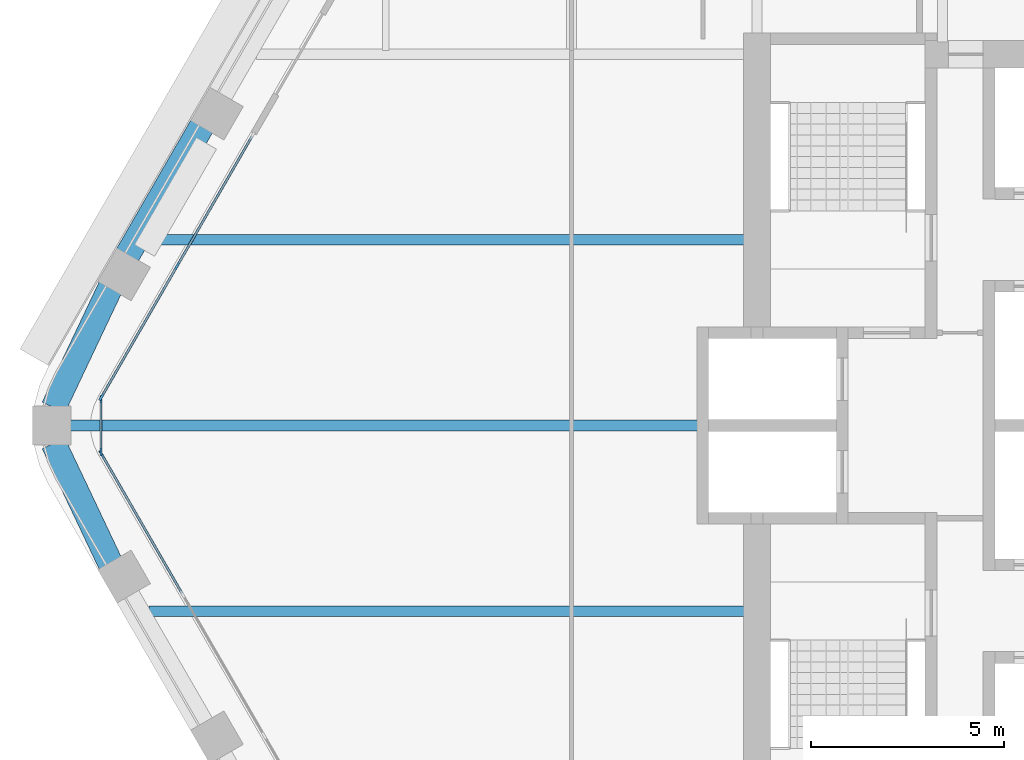
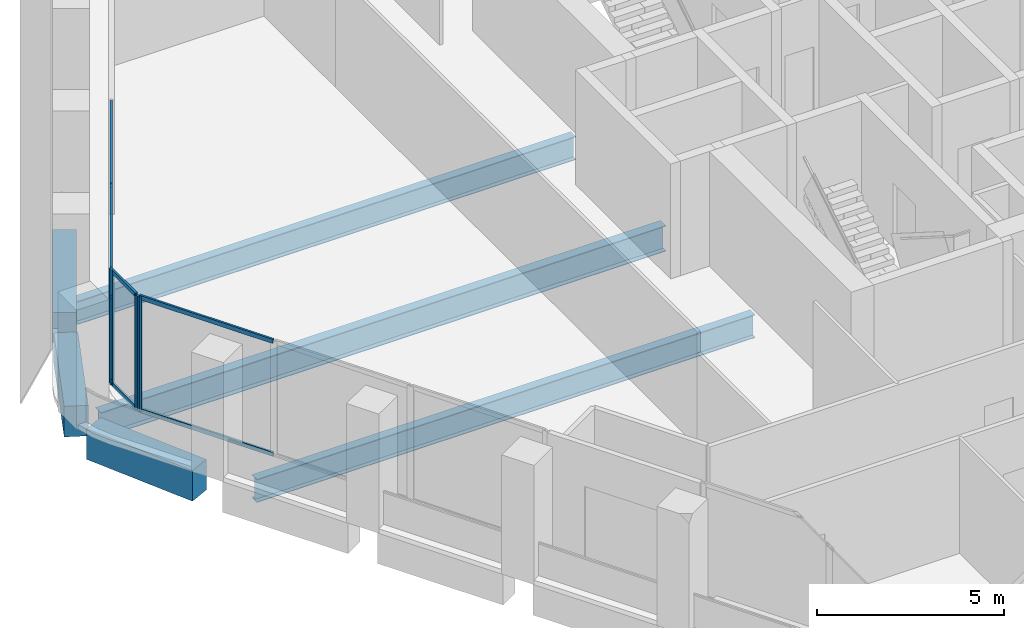
# One storey, part 3 of 15: 13 members, 6 beams, 3 elements without a shape of their own.
"""IFC4 building model written with IfcOpenShell, lengths in metres."""

from ifc_helpers import new_model, si_unit, direction, frame, origin, origin_2d, place, context, subcontext, project, spatial, rectangle, i_section, extrude, material, material_profile, profile_set, type_object, element, aggregate, save


model = new_model("IFC4")

# Units and contexts
model_context = context("Model", 3, precision=1e-05, world=origin(), true_north=direction((0.0, 1.0)))
body_context = subcontext(model_context, "Body", "Model", "MODEL_VIEW")
ifc_project = project(units=[si_unit("LENGTHUNIT", "METRE"), si_unit("AREAUNIT", "SQUARE_METRE"), si_unit("VOLUMEUNIT", "CUBIC_METRE"), si_unit("PLANEANGLEUNIT", "RADIAN"), si_unit("MASSUNIT", "GRAM", prefix="KILO")], contexts=[model_context])

# Site, building, storey
site_placement = place(None, origin())
site = spatial("IfcSite", under=ifc_project, at=site_placement, CompositionType="ELEMENT")
building_placement = place(site_placement, origin())
building = spatial("IfcBuilding", under=site, at=building_placement, Name="Kolab Exchange Tower", CompositionType="ELEMENT")
storey_placement = place(building_placement, frame((0.0, 0.0, 201.199951171875)))
storey = spatial("IfcBuildingStorey", under=building, at=storey_placement, Name="L43", CompositionType="ELEMENT", Elevation=201.199951171875)

# Beams
ifc_material_1 = material(Name="Steel S355", Category="steel")
ifc_material_profile_1 = material_profile(ifc_material_1, i_section(OverallWidth=0.26708984375, OverallDepth=0.761962890625, WebThickness=0.014404296875, FlangeThickness=0.021484375, at=origin_2d()), Name="W760X173")
ifc_profile_set_1 = profile_set([ifc_material_profile_1], Name="Steel S355")
beam_type_1 = type_object("IfcBeamType", Name="FLOOR BEAM W760X173", PredefinedType="BEAM", material=ifc_profile_set_1)
for number, where, z_axis, x_axis, name in (
    (1, (-25.318115234375, -4.800048828125, -0.531005859375), (1.0, 0.0, 0.0), (0.0, 1.0, 0.0), "beam/L43/fr/001"),
    (2, (-25.318115234375, 4.800048828125, -0.531005859375), (1.0, 0.0, 0.0), (0.0, 1.0, 0.0), "beam/L43/fr/002"),
):
    element("IfcBeam", number, at=place(storey_placement, frame(where, z_axis=z_axis, x_axis=x_axis)), inside=storey, type_object=beam_type_1, Name=name, PredefinedType="BEAM", context=body_context, shape_type="SweptSolid", body=[
        extrude(i_section(OverallWidth=0.26708984375, OverallDepth=0.761962890625, WebThickness=0.014404296875, FlangeThickness=0.021484375, at=origin_2d()), origin(), (0.0, 0.0, 1.0), 15.408203125),
    ])
ifc_material_profile_2 = material_profile(ifc_material_1, i_section(OverallWidth=0.2919921875, OverallDepth=0.840087890625, WebThickness=0.0146484375, FlangeThickness=0.021728515625, at=origin_2d()), Name="W840X193")
ifc_profile_set_2 = profile_set([ifc_material_profile_2], Name="Steel S355")
beam_type_2 = type_object("IfcBeamType", Name="FLOOR BEAM W840X193", PredefinedType="BEAM", material=ifc_profile_set_2)
beam_1_placement = place(storey_placement, frame((-27.3759765625, 0.0, -0.570068359375), z_axis=(1.0, 0.0, 0.0), x_axis=(0.0, 1.0, 0.0)))
element("IfcBeam", 3, at=beam_1_placement, inside=storey, type_object=beam_type_2, Name="beam/L43/fr/000", PredefinedType="BEAM", context=body_context, shape_type="SweptSolid", body=[
    extrude(i_section(OverallWidth=0.2919921875, OverallDepth=0.840087890625, WebThickness=0.0146484375, FlangeThickness=0.021728515625, at=origin_2d()), origin(), (0.0, 0.0, 1.0), 17.466064453125),
])
ifc_material_2 = material(Name="Concrete C60/75", Category="concrete")
ifc_material_profile_3 = material_profile(ifc_material_2, rectangle(XDim=0.64990234375, YDim=1.0, at=origin_2d()), Name="RC650X1000")
ifc_profile_set_3 = profile_set([ifc_material_profile_3], Name="Concrete C60/75")
beam_type_3 = type_object("IfcBeamType", Name="SPANDREL BEAM 650X1000 C60/75", PredefinedType="BEAM", material=ifc_profile_set_3)
for number, where, z_axis, x_axis, name in (
    (4, (-26.316162109375, -3.5771484375, -0.64990234375), (-0.428177731975, 0.903694544545, 0.0), (-0.903694544545, -0.428177731975, 0.0), "beam/L43/sp/F5-06"),
    (5, (-27.791259765625, 0.4638671875, -0.64990234375), (0.428177731975, 0.903694544545, 0.0), (-0.903694544545, 0.428177731975, 0.0), "beam/L43/sp/F6-01"),
):
    element("IfcBeam", number, at=place(storey_placement, frame(where, z_axis=z_axis, x_axis=x_axis)), inside=storey, type_object=beam_type_3, Name=name, PredefinedType="BEAM", context=body_context, shape_type="SweptSolid", body=[
        extrude(rectangle(XDim=0.64990234375, YDim=1.0, at=origin_2d()), origin(), (0.0, 0.0, 1.0), 3.445068359375),
    ])
beam_2_placement = place(storey_placement, frame((-25.888427734375, 4.392822265625, -0.64990234375), z_axis=(0.499996613652, 0.866027358884, 0.0), x_axis=(-0.866027358884, 0.499996613652, 0.0)))
element("IfcBeam", 6, at=beam_2_placement, inside=storey, type_object=beam_type_3, Name="beam/L43/sp/F6-02", PredefinedType="BEAM", context=body_context, shape_type="SweptSolid", body=[
    extrude(rectangle(XDim=0.64990234375, YDim=1.0, at=origin_2d()), origin(), (0.0, 0.0, 1.0), 3.8798828125),
])

# Curtain wall, member
ifc_material_3 = material(Name="Aluminium EN AW-6063 T6", Category="aluminium")
curtain_wall_type = type_object("IfcCurtainWallType", Name="UNITISED UPPER MID ZONE CURTAIN WALL", PredefinedType="NOTDEFINED", material=ifc_material_3)
curtain_wall_1_placement = place(storey_placement, origin())
curtain_wall_1 = element("IfcCurtainWall", 7, at=curtain_wall_1_placement, inside=storey, type_object=curtain_wall_type, Name="cw/L43/F5-2", PredefinedType="NOTDEFINED")
ifc_material_profile_4 = material_profile(ifc_material_3, rectangle(XDim=0.06005859375, YDim=0.199951171875, at=origin_2d()), Name="RECT 60X200")
ifc_profile_set_4 = profile_set([ifc_material_profile_4], Name="Aluminium EN AW-6063 T6")
member_type_1 = type_object("IfcMemberType", Name="UNITISED UPPER MID ZONE MULLION 60 X 200", PredefinedType="MULLION", material=ifc_profile_set_4)
member_1_placement = place(storey_placement, frame((-26.550537109375, -0.736083984375, 0.0), z_axis=(0.0, 0.0, 1.0), x_axis=(-0.866025427826, -0.499999958358, 0.0)))
member_1 = element("IfcMember", 8, at=member_1_placement, type_object=member_type_1, Name="CW3 mullion 4", PredefinedType="MULLION", context=body_context, shape_type="SweptSolid", body=[
    extrude(rectangle(XDim=0.06005859375, YDim=0.199951171875, at=origin_2d()), origin(), (0.0, 0.0, 1.0), 3.75),
])

# Curtain wall, members
curtain_wall_2_placement = place(storey_placement, origin())
curtain_wall_2 = element("IfcCurtainWall", 9, at=curtain_wall_2_placement, inside=storey, type_object=curtain_wall_type, Name="cw/L43/F6-1", PredefinedType="NOTDEFINED")
member_2_placement = place(storey_placement, frame((-26.550537109375, 0.736083984375, 0.0), z_axis=(0.0, 0.0, 1.0), x_axis=(-0.866025440524, 0.499999936366, 0.0)))
member_2 = element("IfcMember", 10, at=member_2_placement, type_object=member_type_1, Name="CW3 mullion 1", PredefinedType="MULLION", context=body_context, shape_type="SweptSolid", body=[
    extrude(rectangle(XDim=0.06005859375, YDim=0.199951171875, at=origin_2d()), origin(), (0.0, 0.0, 1.0), 3.75),
])
member_3_placement = place(storey_placement, frame((-24.5986328125, 4.116943359375, 0.0), z_axis=(0.0, 0.0, 1.0), x_axis=(-0.866025440524, 0.499999936366, 0.0)))
member_3 = element("IfcMember", 11, at=member_3_placement, type_object=member_type_1, Name="CW3 mullion 2", PredefinedType="MULLION", context=body_context, shape_type="SweptSolid", body=[
    extrude(rectangle(XDim=0.06005859375, YDim=0.199951171875, at=origin_2d()), origin(), (0.0, 0.0, 1.0), 3.75),
])

curtain_wall_3_placement = place(storey_placement, origin())
curtain_wall_3 = element("IfcCurtainWall", 12, at=curtain_wall_3_placement, inside=storey, type_object=curtain_wall_type, Name="cw/L43/F5F6-corner", PredefinedType="NOTDEFINED")
member_4_placement = place(storey_placement, frame((-26.565673828125, -0.679931640625, 0.0), z_axis=(0.0, 0.0, 1.0), x_axis=(-1.0, 0.0, 0.0)))
member_4 = element("IfcMember", 13, at=member_4_placement, type_object=member_type_1, Name="CW3 mullion 1", PredefinedType="MULLION", context=body_context, shape_type="SweptSolid", body=[
    extrude(rectangle(XDim=0.06005859375, YDim=0.199951171875, at=origin_2d()), origin(), (0.0, 0.0, 1.0), 3.75),
])
member_5_placement = place(storey_placement, frame((-26.565673828125, 0.679931640625, 0.0), z_axis=(0.0, 0.0, 1.0), x_axis=(-1.0, 0.0, 0.0)))
member_5 = element("IfcMember", 14, at=member_5_placement, type_object=member_type_1, Name="CW3 mullion 2", PredefinedType="MULLION", context=body_context, shape_type="SweptSolid", body=[
    extrude(rectangle(XDim=0.06005859375, YDim=0.199951171875, at=origin_2d()), origin(), (0.0, 0.0, 1.0), 3.75),
])

# Member
ifc_material_profile_5 = material_profile(ifc_material_3, rectangle(XDim=0.06005859375, YDim=0.139892578125, at=origin_2d()), Name="RECT 60X140")
ifc_profile_set_5 = profile_set([ifc_material_profile_5], Name="Aluminium EN AW-6063 T6")
member_type_2 = type_object("IfcMemberType", Name="UNITISED UPPER MID ZONE TRANSOM 60 X 140", PredefinedType="USERDEFINED", material=ifc_profile_set_5)
member_6_placement = place(storey_placement, frame((-24.46923828125, -4.3408203125, 0.030029296875), z_axis=(-0.500027577057, 0.866009481578, 0.0), x_axis=(-0.866009481578, -0.500027577057, 0.0)))
member_6 = element("IfcMember", 15, at=member_6_placement, type_object=member_type_2, Name="CW3 transom 3.1", ObjectType="TRANSOM", PredefinedType="USERDEFINED", context=body_context, shape_type="SweptSolid", body=[
    extrude(rectangle(XDim=0.06005859375, YDim=0.139892578125, at=origin_2d()), origin(), (0.0, 0.0, 1.0), 4.132568359375),
])

member_7_placement = place(storey_placement, frame((-24.46923828125, -4.3408203125, 3.719970703125), z_axis=(-0.500027577057, 0.866009481578, 0.0), x_axis=(-0.866009481578, -0.500027577057, 0.0)))
member_7 = element("IfcMember", 16, at=member_7_placement, type_object=member_type_2, Name="CW3 transom 3.2", ObjectType="TRANSOM", PredefinedType="USERDEFINED", context=body_context, shape_type="SweptSolid", body=[
    extrude(rectangle(XDim=0.06005859375, YDim=0.139892578125, at=origin_2d()), origin(), (0.0, 0.0, 1.0), 4.132568359375),
])

aggregate(curtain_wall_1, [member_1, member_6, member_7])

member_8_placement = place(storey_placement, frame((-26.53564453125, 0.761962890625, 0.030029296875), z_axis=(0.499991857942, 0.866030104553, 0.0), x_axis=(-0.866030104553, 0.499991857942, 0.0)))
member_8 = element("IfcMember", 17, at=member_8_placement, type_object=member_type_2, Name="CW3 transom 1.1", ObjectType="TRANSOM", PredefinedType="USERDEFINED", context=body_context, shape_type="SweptSolid", body=[
    extrude(rectangle(XDim=0.06005859375, YDim=0.139892578125, at=origin_2d()), origin(), (0.0, 0.0, 1.0), 3.84375),
])

member_9_placement = place(storey_placement, frame((-26.53564453125, 0.761962890625, 3.719970703125), z_axis=(0.499991857942, 0.866030104553, 0.0), x_axis=(-0.866030104553, 0.499991857942, 0.0)))
member_9 = element("IfcMember", 18, at=member_9_placement, type_object=member_type_2, Name="CW3 transom 1.2", ObjectType="TRANSOM", PredefinedType="USERDEFINED", context=body_context, shape_type="SweptSolid", body=[
    extrude(rectangle(XDim=0.06005859375, YDim=0.139892578125, at=origin_2d()), origin(), (0.0, 0.0, 1.0), 3.84375),
])

member_10_placement = place(storey_placement, frame((-24.583740234375, 4.142822265625, 0.030029296875), z_axis=(0.500011990396, 0.866018481016, 0.0), x_axis=(-0.866018481016, 0.500011990396, 0.0)))
member_10 = element("IfcMember", 19, at=member_10_placement, type_object=member_type_2, Name="CW3 transom 2.1", ObjectType="TRANSOM", PredefinedType="USERDEFINED", context=body_context, shape_type="SweptSolid", body=[
    extrude(rectangle(XDim=0.06005859375, YDim=0.139892578125, at=origin_2d()), origin(), (0.0, 0.0, 1.0), 3.84423828125),
])

member_11_placement = place(storey_placement, frame((-24.583740234375, 4.142822265625, 3.719970703125), z_axis=(0.500011990396, 0.866018481016, 0.0), x_axis=(-0.866018481016, 0.500011990396, 0.0)))
member_11 = element("IfcMember", 20, at=member_11_placement, type_object=member_type_2, Name="CW3 transom 2.2", ObjectType="TRANSOM", PredefinedType="USERDEFINED", context=body_context, shape_type="SweptSolid", body=[
    extrude(rectangle(XDim=0.06005859375, YDim=0.139892578125, at=origin_2d()), origin(), (0.0, 0.0, 1.0), 3.84423828125),
])

aggregate(curtain_wall_2, [member_2, member_3, member_8, member_9, member_10, member_11])

member_12_placement = place(storey_placement, frame((-26.565673828125, -0.64990234375, 0.030029296875), z_axis=(0.0, 1.0, 0.0), x_axis=(-1.0, 0.0, 0.0)))
member_12 = element("IfcMember", 21, at=member_12_placement, type_object=member_type_2, Name="CW3 transom 1.1", ObjectType="TRANSOM", PredefinedType="USERDEFINED", context=body_context, shape_type="SweptSolid", body=[
    extrude(rectangle(XDim=0.06005859375, YDim=0.139892578125, at=origin_2d()), origin(), (0.0, 0.0, 1.0), 1.2998046875),
])

member_13_placement = place(storey_placement, frame((-26.565673828125, -0.64990234375, 3.719970703125), z_axis=(0.0, 1.0, 0.0), x_axis=(-1.0, 0.0, 0.0)))
member_13 = element("IfcMember", 22, at=member_13_placement, type_object=member_type_2, Name="CW3 transom 1.2", ObjectType="TRANSOM", PredefinedType="USERDEFINED", context=body_context, shape_type="SweptSolid", body=[
    extrude(rectangle(XDim=0.06005859375, YDim=0.139892578125, at=origin_2d()), origin(), (0.0, 0.0, 1.0), 1.2998046875),
])

aggregate(curtain_wall_3, [member_4, member_5, member_12, member_13])

save(model, "model.ifc")
